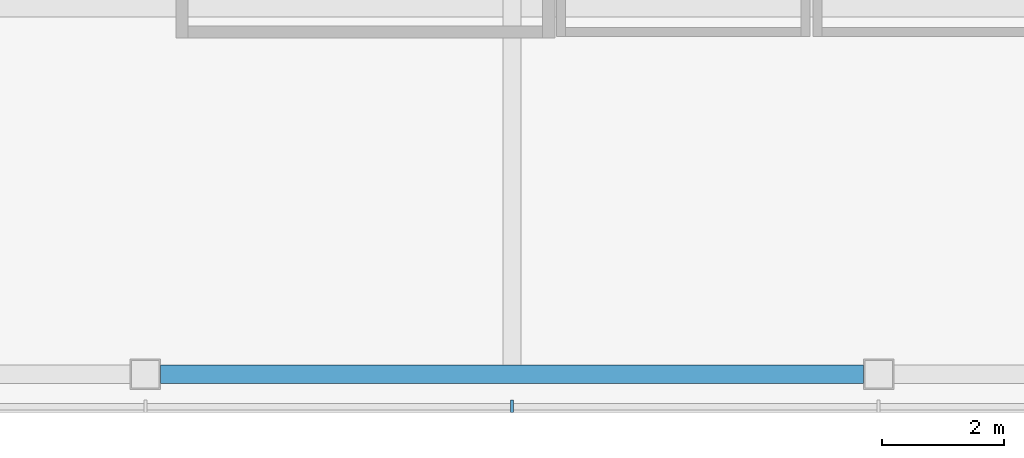
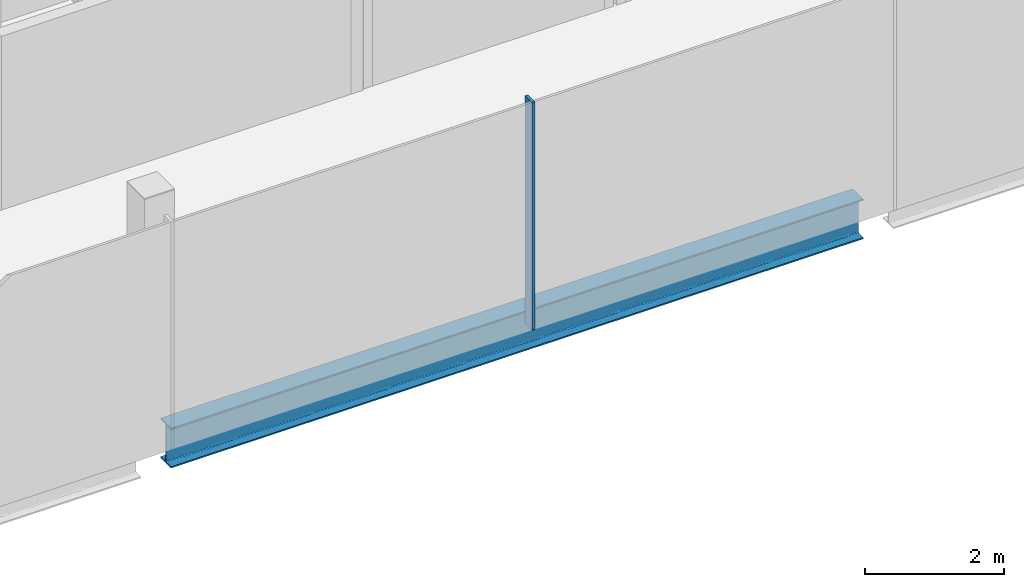
# One storey, part 3 of 17: 1 beam, 1 member, 1 element without a shape of its own.
"""IFC4 building model written with IfcOpenShell, lengths in metres."""

from ifc_helpers import new_model, si_unit, direction, frame, origin, origin_2d, place, context, subcontext, project, spatial, rectangle, i_section, extrude, material, material_profile, profile_set, type_object, element, aggregate, save


model = new_model("IFC4")

# Units and contexts
model_context = context("Model", 3, precision=1e-05, world=origin(), true_north=direction((0.0, 1.0)))
body_context = subcontext(model_context, "Body", "Model", "MODEL_VIEW")
ifc_project = project(units=[si_unit("LENGTHUNIT", "METRE"), si_unit("AREAUNIT", "SQUARE_METRE"), si_unit("VOLUMEUNIT", "CUBIC_METRE"), si_unit("PLANEANGLEUNIT", "RADIAN"), si_unit("MASSUNIT", "GRAM", prefix="KILO")], contexts=[model_context])

# Site, building, storey
site_placement = place(None, origin())
site = spatial("IfcSite", under=ifc_project, at=site_placement, CompositionType="ELEMENT")
building_placement = place(site_placement, origin())
building = spatial("IfcBuilding", under=site, at=building_placement, Name="Sorahane Residences", CompositionType="ELEMENT")
storey_placement = place(building_placement, frame((0.0, 0.0, 341.800048828125)))
storey = spatial("IfcBuildingStorey", under=building, at=storey_placement, Name="L81", CompositionType="ELEMENT", Elevation=341.800048828125)

# Curtain wall, member
ifc_material_1 = material(Name="Dark low-e glass and black anodised aluminium", Category="aluminium")
curtain_wall_type = type_object("IfcCurtainWallType", Name="Curtain wall CW-6 Crown unitised wall", PredefinedType="NOTDEFINED", material=ifc_material_1)
curtain_wall_placement = place(storey_placement, origin())
curtain_wall = element("IfcCurtainWall", 1, at=curtain_wall_placement, inside=storey, type_object=curtain_wall_type, Name="CW-6 curtain wall L81 S1", PredefinedType="NOTDEFINED")
ifc_material_2 = material(Name="Black anodised aluminium", Category="aluminium")
ifc_material_profile_1 = material_profile(ifc_material_2, rectangle(XDim=0.199951171875, YDim=0.050048828125, at=origin_2d()), Name="Curtain wall mullion CW-6 black anodised aluminium 50x200")
ifc_profile_set_1 = profile_set([ifc_material_profile_1], Name="Black anodised aluminium")
member_type = type_object("IfcMemberType", Name="Curtain wall mullion CW-6 black anodised aluminium 50x200", PredefinedType="MULLION", material=ifc_profile_set_1)
member_placement = place(storey_placement, frame((18.0, 11.47998046875, -0.25), z_axis=(0.0, 0.0, 1.0), x_axis=(0.0, -1.0, 0.0)))
member = element("IfcMember", 2, at=member_placement, type_object=member_type, Name="CW-6 mullion L81 S1.4", PredefinedType="MULLION", context=body_context, shape_type="SweptSolid", body=[
    extrude(rectangle(XDim=0.199951171875, YDim=0.050048828125, at=origin_2d()), origin(), (0.0, 0.0, 1.0), 4.0),
])
aggregate(curtain_wall, [member])

# Beam
ifc_material_3 = material(Name="Steel Q355B", Category="steel")
ifc_material_profile_2 = material_profile(ifc_material_3, i_section(OverallWidth=0.300048828125, OverallDepth=0.699951171875, WebThickness=0.012939453125, FlangeThickness=0.02392578125, FilletRadius=0.028076171875, at=origin_2d()), Name="HN 700x300x13x24")
ifc_profile_set_2 = profile_set([ifc_material_profile_2], Name="Steel Q355B")
beam_type = type_object("IfcBeamType", Name="Steel floor beam HN 700x300x13x24 Q355B", PredefinedType="BEAM", material=ifc_profile_set_2)
beam_placement = place(storey_placement, frame((12.25, 12.0, -0.60009765625), z_axis=(1.0, 0.0, 0.0), x_axis=(0.0, 1.0, 0.0)))
element("IfcBeam", 3, at=beam_placement, inside=storey, type_object=beam_type, Name="Beam L81 001", PredefinedType="BEAM", context=body_context, shape_type="SweptSolid", body=[
    extrude(i_section(OverallWidth=0.300048828125, OverallDepth=0.699951171875, WebThickness=0.012939453125, FlangeThickness=0.02392578125, FilletRadius=0.028076171875, at=origin_2d()), origin(), (0.0, 0.0, 1.0), 11.5),
])

save(model, "model.ifc")
